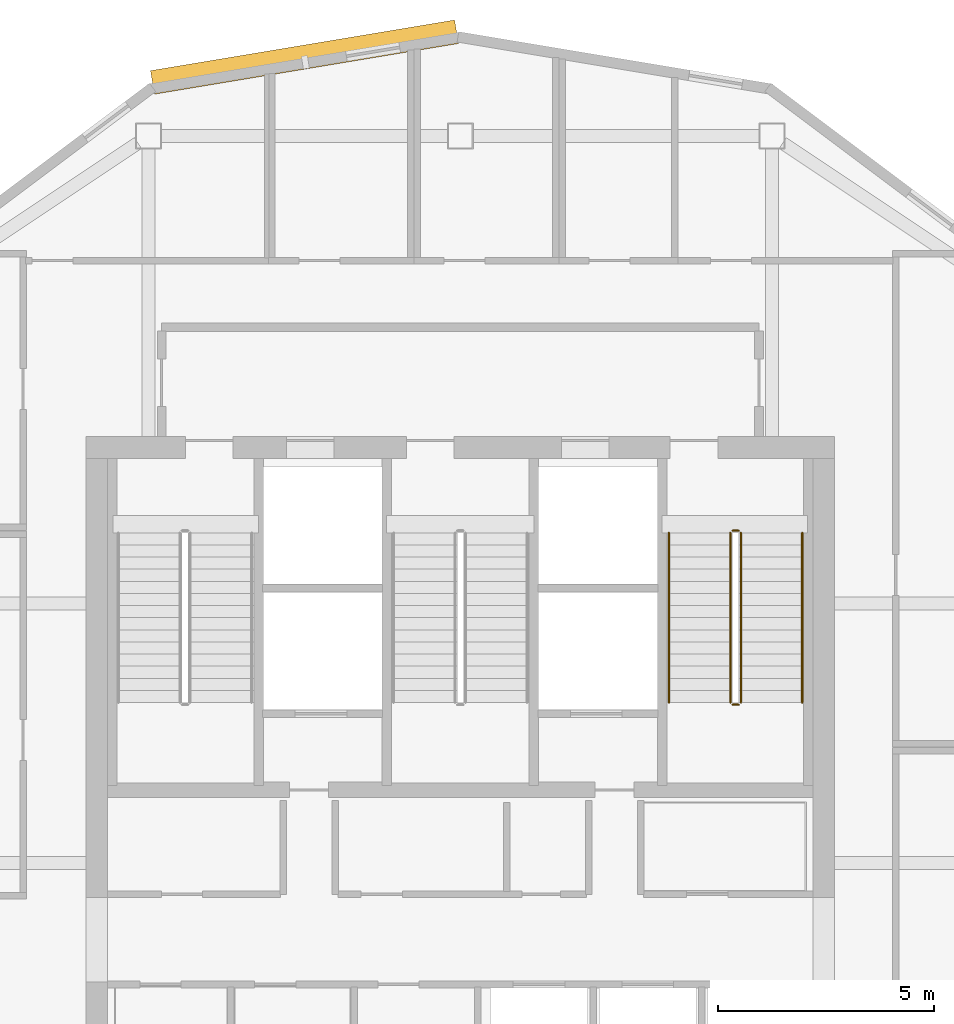
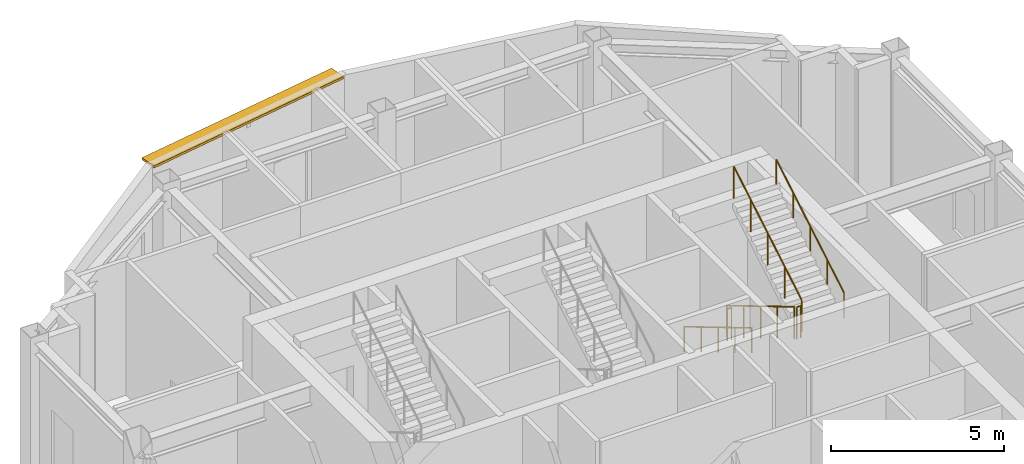
# One storey, part 11 of 11: 6 railings, 1 shading device.
"""IFC4 building model written with IfcOpenShell, lengths in metres."""

from ifc_helpers import new_model, si_unit, direction, frame, origin, origin_2d, place, context, subcontext, project, spatial, rectangle, circle, extrude, material, layer, layer_set, type_object, element, save


model = new_model("IFC4")

# Units and contexts
model_context = context("Model", 3, precision=1e-05, world=origin(), true_north=direction((0.0, 1.0)))
body_context = subcontext(model_context, "Body", "Model", "MODEL_VIEW")
ifc_project = project(units=[si_unit("LENGTHUNIT", "METRE"), si_unit("AREAUNIT", "SQUARE_METRE"), si_unit("VOLUMEUNIT", "CUBIC_METRE"), si_unit("PLANEANGLEUNIT", "RADIAN"), si_unit("MASSUNIT", "GRAM", prefix="KILO")], contexts=[model_context])

# Site, building, storey
site_placement = place(None, origin())
site = spatial("IfcSite", under=ifc_project, at=site_placement, CompositionType="ELEMENT")
building_placement = place(site_placement, origin())
building = spatial("IfcBuilding", under=site, at=building_placement, Name="Haolan Belvedere Tower", CompositionType="ELEMENT")
storey_placement = place(building_placement, frame((0.0, 0.0, 318.199951171875)))
storey = spatial("IfcBuildingStorey", under=building, at=storey_placement, Name="L80", CompositionType="ELEMENT", Elevation=318.199951171875)

# Railings
ifc_material_1 = material(Name="Brushed stainless steel 304", Category="steel")
railing_type_1 = type_object("IfcRailingType", Name="RL-STAIR-GRD-1150", PredefinedType="GUARDRAIL", material=ifc_material_1)
railing_1_placement = place(storey_placement, frame((44.639892578125, 41.22998046875, 0.166748046875)))
element("IfcRailing", 1, at=railing_1_placement, inside=storey, type_object=railing_type_1, Name="L80 ST2 stair guard 1", PredefinedType="GUARDRAIL", context=body_context, shape_type="SweptSolid", body=[
    extrude(circle(Radius=0.02392578125, at=origin_2d()), frame((0.0, 0.0, 1.1259765625), z_axis=(0.0, -0.859296244711, 0.511478214419), x_axis=(1.0, 0.0, 0.0)), (0.0, 0.0, 1.0), 4.561767578125),
    extrude(circle(Radius=0.02099609375, at=origin_2d()), origin(), (0.0, 0.0, 1.0), 1.101806640625),
    extrude(circle(Radius=0.02099609375, at=origin_2d()), frame((0.0, -0.97998046875, 0.583251953125)), (0.0, 0.0, 1.0), 1.101806640625),
    extrude(circle(Radius=0.02099609375, at=origin_2d()), frame((0.0, -1.9599609375, 1.16650390625)), (0.0, 0.0, 1.0), 1.101806640625),
    extrude(circle(Radius=0.02099609375, at=origin_2d()), frame((0.0, -2.93994140625, 1.75)), (0.0, 0.0, 1.0), 1.101806640625),
    extrude(circle(Radius=0.02099609375, at=origin_2d()), frame((0.0, -3.919921875, 2.333251953125)), (0.0, 0.0, 1.0), 1.101806640625),
])
railing_2_placement = place(storey_placement, frame((44.68994140625, 37.260009765625, 2.5)))
element("IfcRailing", 2, at=railing_2_placement, inside=storey, type_object=railing_type_1, Name="L80 ST2 stair guard 2", PredefinedType="GUARDRAIL", context=body_context, shape_type="SweptSolid", body=[
    extrude(circle(Radius=0.02392578125, at=origin_2d()), frame((0.0, 0.0, 1.1259765625), z_axis=(1.0, 0.0, 0.0), x_axis=(0.0, 1.0, 0.0)), (0.0, 0.0, 1.0), 0.14013671875),
    extrude(circle(Radius=0.02099609375, at=origin_2d()), origin(), (0.0, 0.0, 1.0), 1.101806640625),
    extrude(circle(Radius=0.02099609375, at=origin_2d()), frame((0.14013671875, 0.0, 0.0)), (0.0, 0.0, 1.0), 1.101806640625),
])
railing_3_placement = place(storey_placement, frame((44.8798828125, 37.31005859375, 2.666748046875)))
element("IfcRailing", 3, at=railing_3_placement, inside=storey, type_object=railing_type_1, Name="L80 ST2 stair guard 3", PredefinedType="GUARDRAIL", context=body_context, shape_type="SweptSolid", body=[
    extrude(circle(Radius=0.02392578125, at=origin_2d()), frame((0.0, 0.0, 1.1259765625), z_axis=(0.0, 0.859296244711, 0.511478214419), x_axis=(-1.0, 0.0, 0.0)), (0.0, 0.0, 1.0), 4.561767578125),
    extrude(circle(Radius=0.02099609375, at=origin_2d()), origin(), (0.0, 0.0, 1.0), 1.101806640625),
    extrude(circle(Radius=0.02099609375, at=origin_2d()), frame((0.0, 0.97998046875, 0.583251953125)), (0.0, 0.0, 1.0), 1.101806640625),
    extrude(circle(Radius=0.02099609375, at=origin_2d()), frame((0.0, 1.9599609375, 1.16650390625)), (0.0, 0.0, 1.0), 1.101806640625),
    extrude(circle(Radius=0.02099609375, at=origin_2d()), frame((0.0, 2.93994140625, 1.75)), (0.0, 0.0, 1.0), 1.101806640625),
    extrude(circle(Radius=0.02099609375, at=origin_2d()), frame((0.0, 3.919921875, 2.333251953125)), (0.0, 0.0, 1.0), 1.101806640625),
])
railing_4_placement = place(storey_placement, frame((44.68994140625, 41.280029296875, 0.0)))
element("IfcRailing", 4, at=railing_4_placement, inside=storey, type_object=railing_type_1, Name="L80 ST2 stair guard 4", PredefinedType="GUARDRAIL", context=body_context, shape_type="SweptSolid", body=[
    extrude(circle(Radius=0.02392578125, at=origin_2d()), frame((0.0, 0.0, 1.1259765625), z_axis=(1.0, 0.0, 0.0), x_axis=(0.0, 1.0, 0.0)), (0.0, 0.0, 1.0), 0.14013671875),
    extrude(circle(Radius=0.02099609375, at=origin_2d()), origin(), (0.0, 0.0, 1.0), 1.101806640625),
    extrude(circle(Radius=0.02099609375, at=origin_2d()), frame((0.14013671875, 0.0, 0.0)), (0.0, 0.0, 1.0), 1.101806640625),
])
railing_type_2 = type_object("IfcRailingType", Name="RL-STAIR-HND-900", PredefinedType="HANDRAIL", material=ifc_material_1)
railing_5_placement = place(storey_placement, frame((43.219970703125, 41.22998046875, 0.166748046875)))
element("IfcRailing", 5, at=railing_5_placement, inside=storey, type_object=railing_type_2, Name="L80 ST2 stair handrail 1", PredefinedType="HANDRAIL", context=body_context, shape_type="SweptSolid", body=[
    extrude(circle(Radius=0.02392578125, at=origin_2d()), frame((0.0, 0.0, 0.8759765625), z_axis=(0.0, -0.859296244711, 0.511478214419), x_axis=(1.0, 0.0, 0.0)), (0.0, 0.0, 1.0), 4.561767578125),
    extrude(circle(Radius=0.02099609375, at=origin_2d()), origin(), (0.0, 0.0, 1.0), 0.851806640625),
    extrude(circle(Radius=0.02099609375, at=origin_2d()), frame((0.0, -0.97998046875, 0.583251953125)), (0.0, 0.0, 1.0), 0.851806640625),
    extrude(circle(Radius=0.02099609375, at=origin_2d()), frame((0.0, -1.9599609375, 1.16650390625)), (0.0, 0.0, 1.0), 0.851806640625),
    extrude(circle(Radius=0.02099609375, at=origin_2d()), frame((0.0, -2.93994140625, 1.75)), (0.0, 0.0, 1.0), 0.851806640625),
    extrude(circle(Radius=0.02099609375, at=origin_2d()), frame((0.0, -3.919921875, 2.333251953125)), (0.0, 0.0, 1.0), 0.851806640625),
])
railing_6_placement = place(storey_placement, frame((46.300048828125, 37.31005859375, 2.666748046875)))
element("IfcRailing", 6, at=railing_6_placement, inside=storey, type_object=railing_type_2, Name="L80 ST2 stair handrail 2", PredefinedType="HANDRAIL", context=body_context, shape_type="SweptSolid", body=[
    extrude(circle(Radius=0.02392578125, at=origin_2d()), frame((0.0, 0.0, 0.8759765625), z_axis=(0.0, 0.859296244711, 0.511478214419), x_axis=(-1.0, 0.0, 0.0)), (0.0, 0.0, 1.0), 4.561767578125),
    extrude(circle(Radius=0.02099609375, at=origin_2d()), origin(), (0.0, 0.0, 1.0), 0.851806640625),
    extrude(circle(Radius=0.02099609375, at=origin_2d()), frame((0.0, 0.97998046875, 0.583251953125)), (0.0, 0.0, 1.0), 0.851806640625),
    extrude(circle(Radius=0.02099609375, at=origin_2d()), frame((0.0, 1.9599609375, 1.16650390625)), (0.0, 0.0, 1.0), 0.851806640625),
    extrude(circle(Radius=0.02099609375, at=origin_2d()), frame((0.0, 2.93994140625, 1.75)), (0.0, 0.0, 1.0), 0.851806640625),
    extrude(circle(Radius=0.02099609375, at=origin_2d()), frame((0.0, 3.919921875, 2.333251953125)), (0.0, 0.0, 1.0), 0.851806640625),
])

# Shading device
ifc_material_2 = material(Name="Anodised champagne-silver aluminium 6063-T6", Category="aluminium")
ifc_layer = layer(ifc_material_2, 0.080078125, Name="Anodised champagne-silver aluminium 6063-T6")
ifc_layer_set = layer_set([ifc_layer], Name="Anodised champagne-silver aluminium 6063-T6")
shading_device_type = type_object("IfcShadingDeviceType", Name="SHD-SUN-550", PredefinedType="USERDEFINED", material=ifc_layer_set)
shading_device_placement = place(storey_placement, frame((34.80126953125, 52.220458984375, 4.659912109375), z_axis=(0.0, 0.0, 1.0), x_axis=(-0.986394848329, -0.164393440227, 0.0)))
element("IfcShadingDevice", 7, at=shading_device_placement, inside=storey, type_object=shading_device_type, Name="L80 pale-metal horizontal SUNSHADE band 10.1", ObjectType="SUNSHADE", PredefinedType="USERDEFINED", context=body_context, shape_type="SweptSolid", body=[
    extrude(rectangle(XDim=7.1201171875, YDim=0.550048828125, at=origin_2d()), origin(), (0.0, 0.0, 1.0), 0.080078125),
])

save(model, "model.ifc")
